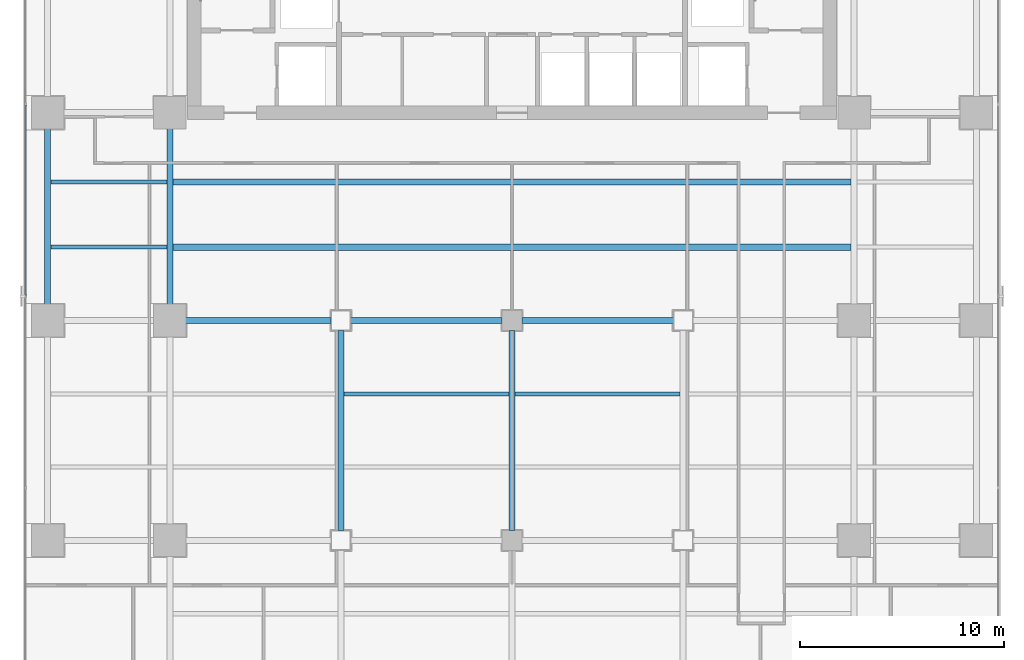
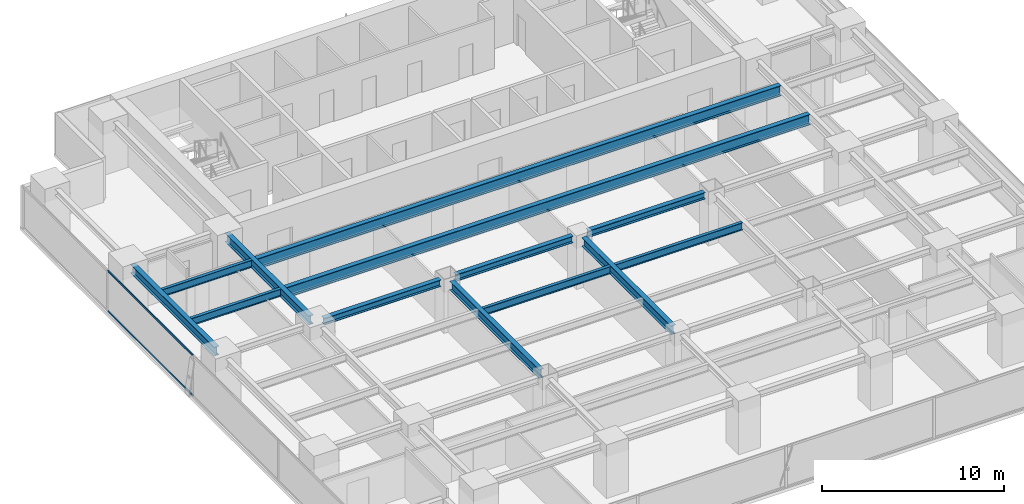
# One storey, part 8 of 28: 13 beams, 2 members, 1 element without a shape of its own.
"""IFC4 building model written with IfcOpenShell, lengths in metres."""

from ifc_helpers import new_model, si_unit, direction, frame, origin, origin_2d, place, context, subcontext, project, spatial, hollow_rectangle, i_section, extrude, source, transform, mapped, material, layer, layer_set, material_profile, profile_set, type_object, element, aggregate, save


model = new_model("IFC4")

# Units and contexts
model_context = context("Model", 3, precision=1e-05, world=origin(), true_north=direction((0.0, 1.0)))
body_context = subcontext(model_context, "Body", "Model", "MODEL_VIEW")
ifc_project = project(units=[si_unit("LENGTHUNIT", "METRE"), si_unit("AREAUNIT", "SQUARE_METRE"), si_unit("VOLUMEUNIT", "CUBIC_METRE"), si_unit("PLANEANGLEUNIT", "RADIAN"), si_unit("MASSUNIT", "GRAM", prefix="KILO")], contexts=[model_context])

# Site, building, storey
site_placement = place(None, origin())
site = spatial("IfcSite", under=ifc_project, at=site_placement, CompositionType="ELEMENT")
building_placement = place(site_placement, origin())
building = spatial("IfcBuilding", under=site, at=building_placement, Name="Sumidabori Civic Tower", CompositionType="ELEMENT")
storey_placement = place(building_placement, frame((0.0, 0.0, 178.39990234375)))
storey = spatial("IfcBuildingStorey", under=building, at=storey_placement, Name="L46", CompositionType="ELEMENT", Elevation=178.39990234375)

# Beams
ifc_material_1 = material(Name="Steel SN490", Category="steel")
ifc_material_profile_1 = material_profile(ifc_material_1, i_section(OverallWidth=0.300048828125, OverallDepth=0.60009765625, WebThickness=0.015380859375, FlangeThickness=0.030029296875, at=origin_2d()), Name="HE 600 B")
ifc_profile_set_1 = profile_set([ifc_material_profile_1], Name="Steel SN490")
beam_type_1 = type_object("IfcBeamType", Name="BM-GIRD-600", PredefinedType="BEAM", material=ifc_profile_set_1)
shared_shape_1 = source(origin(), body_context, "Body", "SweptSolid", [
    extrude(i_section(OverallWidth=0.300048828125, OverallDepth=0.60009765625, WebThickness=0.015380859375, FlangeThickness=0.030029296875, at=origin_2d()), origin(), (0.0, 0.0, 1.0), 9.840087890625),
])
for number, where, z_axis, x_axis, name in (
    (1, (-8.39990234375, -10.320068359375, 3.080078125), (0.0, 1.0, 0.0), (-1.0, 0.0, 0.0), "Primary Girder L46 GY-27"),
    (2, (0.0, -10.320068359375, 3.080078125), (0.0, 1.0, 0.0), (-1.0, 0.0, 0.0), "Primary Girder L46 GY-29"),
):
    element("IfcBeam", number, at=place(storey_placement, frame(where, z_axis=z_axis, x_axis=x_axis)), inside=storey, type_object=beam_type_1, Name=name, PredefinedType="BEAM", context=body_context, shape_type="MappedRepresentation", body=[
        mapped(shared_shape_1, transform((0.0, 0.0, 0.0), x_axis=(1.0, 0.0, 0.0), y_axis=(0.0, 1.0, 0.0), z_axis=(0.0, 0.0, 1.0), scale=1.0)),
    ])
shared_shape_2 = source(origin(), body_context, "Body", "SweptSolid", [
    extrude(i_section(OverallWidth=0.300048828125, OverallDepth=0.60009765625, WebThickness=0.015380859375, FlangeThickness=0.030029296875, at=origin_2d()), origin(), (0.0, 0.0, 1.0), 9.239990234375),
])
for number, where, z_axis, x_axis, name in (
    (3, (-22.800048828125, 0.47998046875, 3.080078125), (0.0, 1.0, 0.0), (-1.0, 0.0, 0.0), "Primary Girder L46 GY-20"),
    (4, (-16.800048828125, 0.47998046875, 3.080078125), (0.0, 1.0, 0.0), (-1.0, 0.0, 0.0), "Primary Girder L46 GY-24"),
):
    element("IfcBeam", number, at=place(storey_placement, frame(where, z_axis=z_axis, x_axis=x_axis)), inside=storey, type_object=beam_type_1, Name=name, PredefinedType="BEAM", context=body_context, shape_type="MappedRepresentation", body=[
        mapped(shared_shape_2, transform((0.0, 0.0, 0.0), x_axis=(1.0, 0.0, 0.0), y_axis=(0.0, 1.0, 0.0), z_axis=(0.0, 0.0, 1.0), scale=1.0)),
    ])
ifc_material_profile_2 = material_profile(ifc_material_1, i_section(OverallWidth=0.199951171875, OverallDepth=0.5, WebThickness=0.01025390625, FlangeThickness=0.01611328125, at=origin_2d()), Name="IPE 500")
ifc_profile_set_2 = profile_set([ifc_material_profile_2], Name="Steel SN490")
beam_type_2 = type_object("IfcBeamType", Name="BM-JST-500", PredefinedType="JOIST", material=ifc_profile_set_2)
shared_shape_3 = source(origin(), body_context, "Body", "SweptSolid", [
    extrude(i_section(OverallWidth=0.199951171875, OverallDepth=0.5, WebThickness=0.01025390625, FlangeThickness=0.01611328125, at=origin_2d()), origin(), (0.0, 0.0, 1.0), 5.699951171875),
])
for number, where, z_axis, x_axis, name in (
    (5, (-22.64990234375, 3.60009765625, 3.130126953125), (1.0, 0.0, 0.0), (0.0, 1.0, 0.0), "Outer Bay Floor Joist L46 JSTO-43"),
    (6, (-22.64990234375, 6.800048828125, 3.130126953125), (1.0, 0.0, 0.0), (0.0, 1.0, 0.0), "Outer Bay Floor Joist L46 JSTO-45"),
):
    element("IfcBeam", number, at=place(storey_placement, frame(where, z_axis=z_axis, x_axis=x_axis)), inside=storey, type_object=beam_type_2, Name=name, PredefinedType="JOIST", context=body_context, shape_type="MappedRepresentation", body=[
        mapped(shared_shape_3, transform((0.0, 0.0, 0.0), x_axis=(1.0, 0.0, 0.0), y_axis=(0.0, 1.0, 0.0), z_axis=(0.0, 0.0, 1.0), scale=1.0)),
    ])
ifc_material_profile_3 = material_profile(ifc_material_1, i_section(OverallWidth=0.300048828125, OverallDepth=0.699951171875, WebThickness=0.01708984375, FlangeThickness=0.031982421875, at=origin_2d()), Name="HE 700 B")
ifc_profile_set_3 = profile_set([ifc_material_profile_3], Name="Steel SN490")
beam_type_3 = type_object("IfcBeamType", Name="BM-GIRD-700", PredefinedType="BEAM", material=ifc_profile_set_3)
shared_shape_4 = source(origin(), body_context, "Body", "SweptSolid", [
    extrude(i_section(OverallWidth=0.300048828125, OverallDepth=0.699951171875, WebThickness=0.01708984375, FlangeThickness=0.031982421875, at=origin_2d()), origin(), (0.0, 0.0, 1.0), 33.2998046875),
])
for number, where, z_axis, x_axis, name in (
    (7, (-16.64990234375, 3.60009765625, 3.030029296875), (1.0, 0.0, 0.0), (0.0, 1.0, 0.0), "North Bay Floor Beam L46 JSTN-47"),
    (8, (-16.64990234375, 6.800048828125, 3.030029296875), (1.0, 0.0, 0.0), (0.0, 1.0, 0.0), "North Bay Floor Beam L46 JSTN-48"),
):
    element("IfcBeam", number, at=place(storey_placement, frame(where, z_axis=z_axis, x_axis=x_axis)), inside=storey, type_object=beam_type_3, Name=name, PredefinedType="BEAM", context=body_context, shape_type="MappedRepresentation", body=[
        mapped(shared_shape_4, transform((0.0, 0.0, 0.0), x_axis=(1.0, 0.0, 0.0), y_axis=(0.0, 1.0, 0.0), z_axis=(0.0, 0.0, 1.0), scale=1.0)),
    ])
shared_shape_5 = source(origin(), body_context, "Body", "SweptSolid", [
    extrude(i_section(OverallWidth=0.199951171875, OverallDepth=0.5, WebThickness=0.01025390625, FlangeThickness=0.01611328125, at=origin_2d()), origin(), (0.0, 0.0, 1.0), 8.10009765625),
])
for number, where, z_axis, x_axis, name in (
    (9, (-8.25, -3.60009765625, 3.130126953125), (1.0, 0.0, 0.0), (0.0, 1.0, 0.0), "South Bay Floor Joist L46 JSTS-58"),
    (10, (0.14990234375, -3.60009765625, 3.130126953125), (1.0, 0.0, 0.0), (0.0, 1.0, 0.0), "South Bay Floor Joist L46 JSTS-59"),
):
    element("IfcBeam", number, at=place(storey_placement, frame(where, z_axis=z_axis, x_axis=x_axis)), inside=storey, type_object=beam_type_2, Name=name, PredefinedType="JOIST", context=body_context, shape_type="MappedRepresentation", body=[
        mapped(shared_shape_5, transform((0.0, 0.0, 0.0), x_axis=(1.0, 0.0, 0.0), y_axis=(0.0, 1.0, 0.0), z_axis=(0.0, 0.0, 1.0), scale=1.0)),
    ])
ifc_material_profile_4 = material_profile(ifc_material_1, i_section(OverallWidth=0.300048828125, OverallDepth=0.449951171875, WebThickness=0.013916015625, FlangeThickness=0.02587890625, at=origin_2d()), Name="HE 450 B")
ifc_profile_set_4 = profile_set([ifc_material_profile_4], Name="Steel SN490")
beam_type_4 = type_object("IfcBeamType", Name="BM-GIRD-450", PredefinedType="BEAM", material=ifc_profile_set_4)
shared_shape_6 = source(origin(), body_context, "Body", "SweptSolid", [
    extrude(i_section(OverallWidth=0.300048828125, OverallDepth=0.449951171875, WebThickness=0.013916015625, FlangeThickness=0.02587890625, at=origin_2d()), origin(), (0.0, 0.0, 1.0), 7.440185546875),
])
beam_placement = place(storey_placement, frame((-16.320068359375, 0.0, 3.155029296875), z_axis=(1.0, 0.0, 0.0), x_axis=(0.0, 1.0, 0.0)))
element("IfcBeam", 11, at=beam_placement, inside=storey, type_object=beam_type_4, Name="Primary Girder L46 GX-12", PredefinedType="BEAM", context=body_context, shape_type="MappedRepresentation", body=[
    mapped(shared_shape_6, transform((0.0, 0.0, 0.0), x_axis=(1.0, 0.0, 0.0), y_axis=(0.0, 1.0, 0.0), z_axis=(0.0, 0.0, 1.0), scale=1.0)),
])
shared_shape_7 = source(origin(), body_context, "Body", "SweptSolid", [
    extrude(i_section(OverallWidth=0.300048828125, OverallDepth=0.449951171875, WebThickness=0.013916015625, FlangeThickness=0.02587890625, at=origin_2d()), origin(), (0.0, 0.0, 1.0), 7.43994140625),
])
for number, where, z_axis, x_axis, name in (
    (12, (-7.919921875, 0.0, 3.155029296875), (1.0, 0.0, 0.0), (0.0, 1.0, 0.0), "Primary Girder L46 GX-13"),
    (13, (0.47998046875, 0.0, 3.155029296875), (1.0, 0.0, 0.0), (0.0, 1.0, 0.0), "Primary Girder L46 GX-14"),
):
    element("IfcBeam", number, at=place(storey_placement, frame(where, z_axis=z_axis, x_axis=x_axis)), inside=storey, type_object=beam_type_4, Name=name, PredefinedType="BEAM", context=body_context, shape_type="MappedRepresentation", body=[
        mapped(shared_shape_7, transform((0.0, 0.0, 0.0), x_axis=(1.0, 0.0, 0.0), y_axis=(0.0, 1.0, 0.0), z_axis=(0.0, 0.0, 1.0), scale=1.0)),
    ])

# Curtain wall, members
ifc_material_2 = material(Name="Anodised Bronze Aluminium AW-6063-T6", Category="aluminium")
ifc_layer = layer(ifc_material_2, 0.179931640625, Name="Anodised Bronze Aluminium AW-6063-T6")
ifc_layer_set = layer_set([ifc_layer], Name="Anodised Bronze Aluminium AW-6063-T6")
curtain_wall_type = type_object("IfcCurtainWallType", Name="CW-SYS-3", PredefinedType="NOTDEFINED", material=ifc_layer_set)
curtain_wall_placement = place(storey_placement, origin())
curtain_wall = element("IfcCurtainWall", 14, at=curtain_wall_placement, inside=storey, type_object=curtain_wall_type, Name="Curtain Wall CW:L46:R10", PredefinedType="NOTDEFINED")
ifc_material_profile_5 = material_profile(ifc_material_2, hollow_rectangle(XDim=0.06005859375, YDim=0.1298828125, WallThickness=0.0048828125, at=origin_2d()), Name="ALU TRANSOM 130x60")
ifc_profile_set_5 = profile_set([ifc_material_profile_5], Name="Anodised Bronze Aluminium AW-6063-T6")
member_type = type_object("IfcMemberType", Name="CW-TRN-130", PredefinedType="USERDEFINED", material=ifc_profile_set_5)
shared_shape_8 = source(origin(), body_context, "Body", "SweptSolid", [
    extrude(hollow_rectangle(XDim=0.06005859375, YDim=0.1298828125, WallThickness=0.0048828125, at=origin_2d()), origin(), (0.0, 0.0, 1.0), 9.344970703125),
])
member_1_placement = place(storey_placement, frame((-23.8798828125, 10.577392578125, 0.030029296875), z_axis=(0.0, -1.0, 0.0), x_axis=(1.0, 0.0, 0.0)))
member_1 = element("IfcMember", 15, at=member_1_placement, type_object=member_type, Name="CW-3 transom 2.1", ObjectType="TRANSOM", PredefinedType="USERDEFINED", context=body_context, shape_type="MappedRepresentation", body=[
    mapped(shared_shape_8, transform((0.0, 0.0, 0.0), x_axis=(1.0, 0.0, 0.0), y_axis=(0.0, 1.0, 0.0), z_axis=(0.0, 0.0, 1.0), scale=1.0)),
])
member_2_placement = place(storey_placement, frame((-23.8798828125, 10.577392578125, 2.72998046875), z_axis=(0.0, -1.0, 0.0), x_axis=(1.0, 0.0, 0.0)))
member_2 = element("IfcMember", 16, at=member_2_placement, type_object=member_type, Name="CW-3 transom 2.2", ObjectType="TRANSOM", PredefinedType="USERDEFINED", context=body_context, shape_type="MappedRepresentation", body=[
    mapped(shared_shape_8, transform((0.0, 0.0, 0.0), x_axis=(1.0, 0.0, 0.0), y_axis=(0.0, 1.0, 0.0), z_axis=(0.0, 0.0, 1.0), scale=1.0)),
])
aggregate(curtain_wall, [member_1, member_2])

save(model, "model.ifc")
